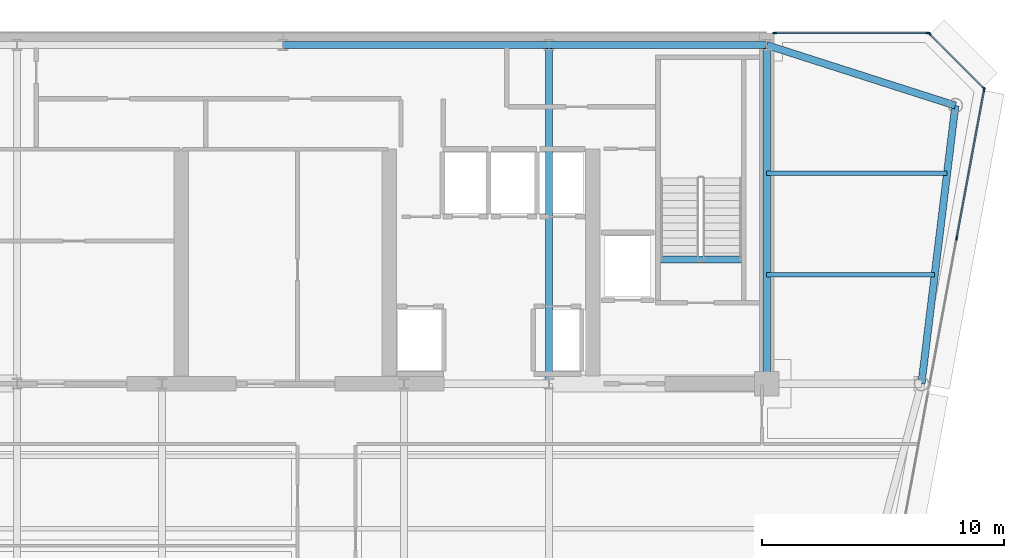
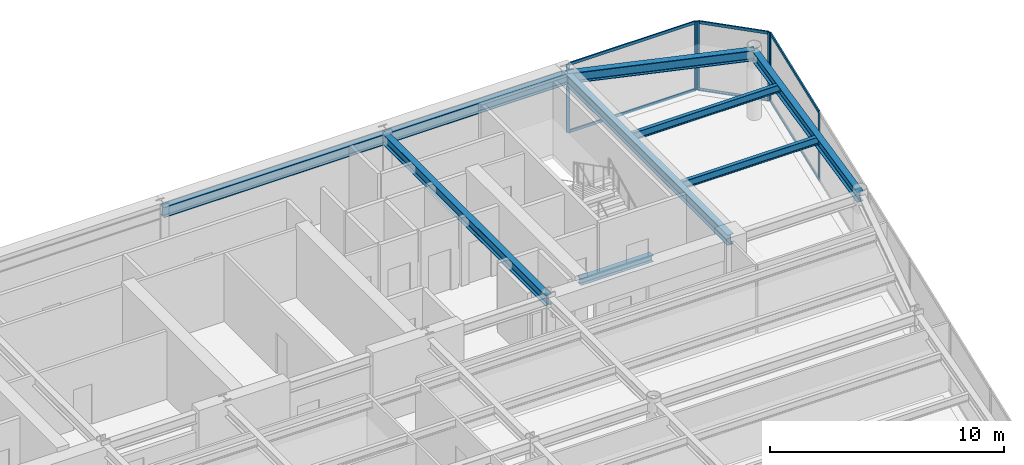
# One storey, part 9 of 17: 12 members, 9 beams, 3 elements without a shape of their own.
"""IFC4 building model written with IfcOpenShell, lengths in metres."""

from ifc_helpers import new_model, si_unit, direction, frame, origin, origin_2d, place, context, subcontext, project, spatial, rectangle, i_section, extrude, source, transform, mapped, material, layer, layer_set, material_profile, profile_set, type_object, element, aggregate, save


model = new_model("IFC4")

# Units and contexts
model_context = context("Model", 3, precision=1e-05, world=origin(), true_north=direction((0.0, 1.0)))
body_context = subcontext(model_context, "Body", "Model", "MODEL_VIEW")
ifc_project = project(units=[si_unit("LENGTHUNIT", "METRE"), si_unit("AREAUNIT", "SQUARE_METRE"), si_unit("VOLUMEUNIT", "CUBIC_METRE"), si_unit("PLANEANGLEUNIT", "RADIAN"), si_unit("MASSUNIT", "GRAM", prefix="KILO")], contexts=[model_context])

# Site, building, storey
site_placement = place(None, origin())
site = spatial("IfcSite", under=ifc_project, at=site_placement, CompositionType="ELEMENT")
building_placement = place(site_placement, origin())
building = spatial("IfcBuilding", under=site, at=building_placement, Name="Vaeldorn Concourse Tower", CompositionType="ELEMENT")
storey_placement = place(building_placement, frame((0.0, 0.0, 230.800048828125)))
storey = spatial("IfcBuildingStorey", under=building, at=storey_placement, Name="L59", CompositionType="ELEMENT", Elevation=230.800048828125)

# Beams
ifc_material_1 = material(Name="Steel S355", Category="steel")
ifc_material_profile_1 = material_profile(ifc_material_1, i_section(OverallWidth=0.300048828125, OverallDepth=0.340087890625, WebThickness=0.011962890625, FlangeThickness=0.021484375, FilletRadius=0.027099609375, at=origin_2d()), Name="HEB 340")
ifc_profile_set_1 = profile_set([ifc_material_profile_1], Name="Steel S355")
beam_type_1 = type_object("IfcBeamType", Name="BM-ST-TRIM", PredefinedType="BEAM", material=ifc_profile_set_1)
shared_shape_1 = source(origin(), body_context, "Body", "SweptSolid", [
    extrude(i_section(OverallWidth=0.300048828125, OverallDepth=0.340087890625, WebThickness=0.011962890625, FlangeThickness=0.021484375, FilletRadius=0.027099609375, at=origin_2d()), origin(), (0.0, 0.0, 1.0), 3.590087890625),
])
beam_1_placement = place(storey_placement, frame((49.47998046875, 41.639892578125, -0.39013671875), z_axis=(1.0, 0.0, 0.0), x_axis=(0.0, 1.0, 0.0)))
element("IfcBeam", 1, at=beam_1_placement, inside=storey, type_object=beam_type_1, Name="Stair Landing Trimmer Beam ST-2 L59", PredefinedType="BEAM", context=body_context, shape_type="MappedRepresentation", body=[
    mapped(shared_shape_1, transform((0.0, 0.0, 0.0), scale=1.0)),
])
ifc_material_profile_2 = material_profile(ifc_material_1, i_section(OverallWidth=0.179931640625, OverallDepth=0.39990234375, WebThickness=0.008544921875, FlangeThickness=0.013427734375, FilletRadius=0.02099609375, at=origin_2d()), Name="IPE 400")
ifc_profile_set_2 = profile_set([ifc_material_profile_2], Name="Steel S355")
beam_type_2 = type_object("IfcBeamType", Name="BM-JS-IPE400", PredefinedType="JOIST", material=ifc_profile_set_2)
shared_shape_2 = source(origin(), body_context, "Body", "SweptSolid", [
    extrude(i_section(OverallWidth=0.179931640625, OverallDepth=0.39990234375, WebThickness=0.008544921875, FlangeThickness=0.013427734375, FilletRadius=0.02099609375, at=origin_2d()), origin(), (0.0, 0.0, 1.0), 6.94775390625),
])
beam_2_placement = place(storey_placement, frame((54.0, 41.0, 3.3798828125), z_axis=(1.0, 0.0, 0.0), x_axis=(0.0, 1.0, 0.0)))
element("IfcBeam", 2, at=beam_2_placement, inside=storey, type_object=beam_type_2, Name="Beam JS-L59-NE-410", PredefinedType="JOIST", context=body_context, shape_type="MappedRepresentation", body=[
    mapped(shared_shape_2, transform((0.0, 0.0, 0.0), scale=1.0)),
])
shared_shape_3 = source(origin(), body_context, "Body", "SweptSolid", [
    extrude(i_section(OverallWidth=0.179931640625, OverallDepth=0.39990234375, WebThickness=0.008544921875, FlangeThickness=0.013427734375, FilletRadius=0.02099609375, at=origin_2d()), origin(), (0.0, 0.0, 1.0), 7.458984375),
])
beam_3_placement = place(storey_placement, frame((54.0, 45.199951171875, 3.3798828125), z_axis=(1.0, 0.0, 0.0), x_axis=(0.0, 1.0, 0.0)))
element("IfcBeam", 3, at=beam_3_placement, inside=storey, type_object=beam_type_2, Name="Beam JS-L59-NE-452", PredefinedType="JOIST", context=body_context, shape_type="MappedRepresentation", body=[
    mapped(shared_shape_3, transform((0.0, 0.0, 0.0), scale=1.0)),
])
ifc_material_profile_3 = material_profile(ifc_material_1, i_section(OverallWidth=0.300048828125, OverallDepth=0.550048828125, WebThickness=0.014892578125, FlangeThickness=0.029052734375, FilletRadius=0.027099609375, at=origin_2d()), Name="HEB 550")
ifc_profile_set_3 = profile_set([ifc_material_profile_3], Name="Steel S355")
beam_type_3 = type_object("IfcBeamType", Name="BM-PG-HEB550", PredefinedType="BEAM", material=ifc_profile_set_3)
shared_shape_4 = source(origin(), body_context, "Body", "SweptSolid", [
    extrude(i_section(OverallWidth=0.300048828125, OverallDepth=0.550048828125, WebThickness=0.014892578125, FlangeThickness=0.029052734375, FilletRadius=0.027099609375, at=origin_2d()), origin(), (0.0, 0.0, 1.0), 9.0),
])
beam_4_placement = place(storey_placement, frame((45.0, 50.5, 3.304931640625), z_axis=(1.0, 0.0, 0.0), x_axis=(0.0, 1.0, 0.0)))
element("IfcBeam", 4, at=beam_4_placement, inside=storey, type_object=beam_type_3, Name="Beam BM-L59-C-HC4-C-HC5", PredefinedType="BEAM", context=body_context, shape_type="MappedRepresentation", body=[
    mapped(shared_shape_4, transform((0.0, 0.0, 0.0), scale=1.0)),
])
shared_shape_5 = source(origin(), body_context, "Body", "SweptSolid", [
    extrude(i_section(OverallWidth=0.300048828125, OverallDepth=0.550048828125, WebThickness=0.014892578125, FlangeThickness=0.029052734375, FilletRadius=0.027099609375, at=origin_2d()), origin(), (0.0, 0.0, 1.0), 11.0),
])
beam_5_placement = place(storey_placement, frame((34.0, 50.5, 3.304931640625), z_axis=(1.0, 0.0, 0.0), x_axis=(0.0, 1.0, 0.0)))
element("IfcBeam", 5, at=beam_5_placement, inside=storey, type_object=beam_type_3, Name="Beam BM-L59-C-HC3-C-HC4", PredefinedType="BEAM", context=body_context, shape_type="MappedRepresentation", body=[
    mapped(shared_shape_5, transform((0.0, 0.0, 0.0), scale=1.0)),
])
shared_shape_6 = source(origin(), body_context, "Body", "SweptSolid", [
    extrude(i_section(OverallWidth=0.300048828125, OverallDepth=0.550048828125, WebThickness=0.014892578125, FlangeThickness=0.029052734375, FilletRadius=0.027099609375, at=origin_2d()), origin(), (0.0, 0.0, 1.0), 14.0),
])
for number, where, z_axis, x_axis, name in (
    (6, (45.0, 36.5, 3.304931640625), (0.0, 1.0, 0.0), (-1.0, 0.0, 0.0), "Beam BM-L59-C-FC5-C-HC4"),
    (7, (54.0, 36.5, 3.304931640625), (0.0, 1.0, 0.0), (-1.0, 0.0, 0.0), "Beam BM-L59-C-FC6-C-HC5"),
):
    element("IfcBeam", number, at=place(storey_placement, frame(where, z_axis=z_axis, x_axis=x_axis)), inside=storey, type_object=beam_type_3, Name=name, PredefinedType="BEAM", context=body_context, shape_type="MappedRepresentation", body=[
        mapped(shared_shape_6, transform((0.0, 0.0, 0.0), scale=1.0)),
    ])
shared_shape_7 = source(origin(), body_context, "Body", "SweptSolid", [
    extrude(i_section(OverallWidth=0.300048828125, OverallDepth=0.550048828125, WebThickness=0.014892578125, FlangeThickness=0.029052734375, FilletRadius=0.027099609375, at=origin_2d()), origin(), (0.0, 0.0, 1.0), 8.19091796875),
])
beam_6_placement = place(storey_placement, frame((54.0, 50.5, 3.304931640625), z_axis=(0.952282843383, -0.305216949396, 0.0), x_axis=(0.305216949396, 0.952282843383, 0.0)))
element("IfcBeam", 8, at=beam_6_placement, inside=storey, type_object=beam_type_3, Name="Beam BM-L59-C-HC5-C-NE1", PredefinedType="BEAM", context=body_context, shape_type="MappedRepresentation", body=[
    mapped(shared_shape_7, transform((0.0, 0.0, 0.0), scale=1.0)),
])
shared_shape_8 = source(origin(), body_context, "Body", "SweptSolid", [
    extrude(i_section(OverallWidth=0.300048828125, OverallDepth=0.550048828125, WebThickness=0.014892578125, FlangeThickness=0.029052734375, FilletRadius=0.027099609375, at=origin_2d()), origin(), (0.0, 0.0, 1.0), 11.5849609375),
])
beam_7_placement = place(storey_placement, frame((61.800048828125, 48.0, 3.304931640625), z_axis=(-0.120859382899, -0.992669637677, 0.0), x_axis=(0.992669637677, -0.120859382899, 0.0)))
element("IfcBeam", 9, at=beam_7_placement, inside=storey, type_object=beam_type_3, Name="Beam BM-L59-C-NE1-C-NE2", PredefinedType="BEAM", context=body_context, shape_type="MappedRepresentation", body=[
    mapped(shared_shape_8, transform((0.0, 0.0, 0.0), scale=1.0)),
])

# Curtain wall, members
ifc_material_2 = material(Name="Anodised Bronze Aluminium", Category="aluminium")
ifc_layer = layer(ifc_material_2, 0.179931640625)
ifc_layer_set = layer_set([ifc_layer], Name="Anodised Bronze Aluminium")
curtain_wall_type = type_object("IfcCurtainWallType", Name="CW-SYS-05", PredefinedType="NOTDEFINED", material=ifc_layer_set)
curtain_wall_1_placement = place(storey_placement, origin())
curtain_wall_1 = element("IfcCurtainWall", 10, at=curtain_wall_1_placement, inside=storey, type_object=curtain_wall_type, Name="Unitised Curtain Wall CW-L59-E07-2", PredefinedType="NOTDEFINED")
ifc_material_profile_4 = material_profile(ifc_material_2, rectangle(XDim=0.06494140625, YDim=0.169921875, at=origin_2d()), Name="CWM 65x170")
ifc_profile_set_4 = profile_set([ifc_material_profile_4], Name="Anodised Bronze Aluminium")
member_type_1 = type_object("IfcMemberType", Name="CWM-BRONZE-170", PredefinedType="MULLION", material=ifc_profile_set_4)
shared_shape_9 = source(origin(), body_context, "Body", "SweptSolid", [
    extrude(rectangle(XDim=0.06494140625, YDim=0.169921875, at=origin_2d()), origin(), (0.0, 0.0, 1.0), 3.579833984375),
])
member_1_placement = place(storey_placement, frame((61.857421875, 42.5234375, 0.0), z_axis=(0.0, 0.0, 1.0), x_axis=(-0.983319198447, 0.181888300792, 0.0)))
member_1 = element("IfcMember", 11, at=member_1_placement, type_object=member_type_1, Name="CW-05 mullion 2", PredefinedType="MULLION", context=body_context, shape_type="MappedRepresentation", body=[
    mapped(shared_shape_9, transform((0.0, 0.0, 0.0), scale=1.0)),
])
member_2_placement = place(storey_placement, frame((62.994140625, 48.66796875, 0.0), z_axis=(0.0, 0.0, 1.0), x_axis=(-0.983319198447, 0.181888300792, 0.0)))
member_2 = element("IfcMember", 12, at=member_2_placement, type_object=member_type_1, Name="CW-05 mullion 3", PredefinedType="MULLION", context=body_context, shape_type="MappedRepresentation", body=[
    mapped(shared_shape_9, transform((0.0, 0.0, 0.0), scale=1.0)),
])

curtain_wall_2_placement = place(storey_placement, origin())
curtain_wall_2 = element("IfcCurtainWall", 13, at=curtain_wall_2_placement, inside=storey, type_object=curtain_wall_type, Name="Unitised Curtain Wall CW-L59-E08-1", PredefinedType="NOTDEFINED")
member_3_placement = place(storey_placement, frame((62.97705078125, 48.722900390625, 0.0), z_axis=(0.0, 0.0, 1.0), x_axis=(-0.707106781187, -0.707106781187, 0.0)))
member_3 = element("IfcMember", 14, at=member_3_placement, type_object=member_type_1, Name="CW-05 mullion 1", PredefinedType="MULLION", context=body_context, shape_type="MappedRepresentation", body=[
    mapped(shared_shape_9, transform((0.0, 0.0, 0.0), scale=1.0)),
])
member_4_placement = place(storey_placement, frame((60.722900390625, 50.97705078125, 0.0), z_axis=(0.0, 0.0, 1.0), x_axis=(-0.707106781187, -0.707106781187, 0.0)))
member_4 = element("IfcMember", 15, at=member_4_placement, type_object=member_type_1, Name="CW-05 mullion 2", PredefinedType="MULLION", context=body_context, shape_type="MappedRepresentation", body=[
    mapped(shared_shape_9, transform((0.0, 0.0, 0.0), scale=1.0)),
])

curtain_wall_3_placement = place(storey_placement, origin())
curtain_wall_3 = element("IfcCurtainWall", 16, at=curtain_wall_3_placement, inside=storey, type_object=curtain_wall_type, Name="Unitised Curtain Wall CW-L59-E09-1", PredefinedType="NOTDEFINED")
member_5_placement = place(storey_placement, frame((60.66748046875, 51.0, 0.0), z_axis=(0.0, 0.0, 1.0), x_axis=(0.0, -1.0, 0.0)))
member_5 = element("IfcMember", 17, at=member_5_placement, type_object=member_type_1, Name="CW-05 mullion 1", PredefinedType="MULLION", context=body_context, shape_type="MappedRepresentation", body=[
    mapped(shared_shape_9, transform((0.0, 0.0, 0.0), scale=1.0)),
])
member_6_placement = place(storey_placement, frame((54.327392578125, 51.0, 0.0), z_axis=(0.0, 0.0, 1.0), x_axis=(0.0, -1.0, 0.0)))
member_6 = element("IfcMember", 18, at=member_6_placement, type_object=member_type_1, Name="CW-05 mullion 2", PredefinedType="MULLION", context=body_context, shape_type="MappedRepresentation", body=[
    mapped(shared_shape_9, transform((0.0, 0.0, 0.0), scale=1.0)),
])

# Member
ifc_material_profile_5 = material_profile(ifc_material_2, rectangle(XDim=0.06494140625, YDim=0.14990234375, at=origin_2d()), Name="CWT 65x150")
ifc_profile_set_5 = profile_set([ifc_material_profile_5], Name="Anodised Bronze Aluminium")
member_type_2 = type_object("IfcMemberType", Name="CWT-BRONZE-150", PredefinedType="USERDEFINED", material=ifc_profile_set_5)
shared_shape_10 = source(origin(), body_context, "Body", "SweptSolid", [
    extrude(rectangle(XDim=0.06494140625, YDim=0.14990234375, at=origin_2d()), origin(), (0.0, 0.0, 1.0), 3.123046875),
])
member_7_placement = place(storey_placement, frame((62.9541015625, 48.745849609375, 0.032470703125), z_axis=(-0.707106781187, 0.707106781187, 0.0), x_axis=(-0.707106781187, -0.707106781187, 0.0)))
member_7 = element("IfcMember", 19, at=member_7_placement, type_object=member_type_2, Name="CW-05 transom 1.1", ObjectType="TRANSOM", PredefinedType="USERDEFINED", context=body_context, shape_type="MappedRepresentation", body=[
    mapped(shared_shape_10, transform((0.0, 0.0, 0.0), scale=1.0)),
])

member_8_placement = place(storey_placement, frame((62.9541015625, 48.745849609375, 3.54736328125), z_axis=(-0.707106781187, 0.707106781187, 0.0), x_axis=(-0.707106781187, -0.707106781187, 0.0)))
member_8 = element("IfcMember", 20, at=member_8_placement, type_object=member_type_2, Name="CW-05 transom 1.2", ObjectType="TRANSOM", PredefinedType="USERDEFINED", context=body_context, shape_type="MappedRepresentation", body=[
    mapped(shared_shape_10, transform((0.0, 0.0, 0.0), scale=1.0)),
])

aggregate(curtain_wall_2, [member_3, member_4, member_7, member_8])

shared_shape_11 = source(origin(), body_context, "Body", "SweptSolid", [
    extrude(rectangle(XDim=0.06494140625, YDim=0.14990234375, at=origin_2d()), origin(), (0.0, 0.0, 1.0), 6.27490234375),
])
member_9_placement = place(storey_placement, frame((60.635009765625, 51.0, 0.032470703125), z_axis=(-1.0, 0.0, 0.0), x_axis=(0.0, -1.0, 0.0)))
member_9 = element("IfcMember", 21, at=member_9_placement, type_object=member_type_2, Name="CW-05 transom 1.1", ObjectType="TRANSOM", PredefinedType="USERDEFINED", context=body_context, shape_type="MappedRepresentation", body=[
    mapped(shared_shape_11, transform((0.0, 0.0, 0.0), scale=1.0)),
])

member_10_placement = place(storey_placement, frame((60.635009765625, 51.0, 3.54736328125), z_axis=(-1.0, 0.0, 0.0), x_axis=(0.0, -1.0, 0.0)))
member_10 = element("IfcMember", 22, at=member_10_placement, type_object=member_type_2, Name="CW-05 transom 1.2", ObjectType="TRANSOM", PredefinedType="USERDEFINED", context=body_context, shape_type="MappedRepresentation", body=[
    mapped(shared_shape_11, transform((0.0, 0.0, 0.0), scale=1.0)),
])

aggregate(curtain_wall_3, [member_5, member_6, member_9, member_10])

shared_shape_12 = source(origin(), body_context, "Body", "SweptSolid", [
    extrude(rectangle(XDim=0.06494140625, YDim=0.14990234375, at=origin_2d()), origin(), (0.0, 0.0, 1.0), 6.183837890625),
])
member_11_placement = place(storey_placement, frame((61.863525390625, 42.555419921875, 0.032470703125), z_axis=(0.181889913007, 0.983318900228, 0.0), x_axis=(-0.983318900228, 0.181889913007, 0.0)))
member_11 = element("IfcMember", 23, at=member_11_placement, type_object=member_type_2, Name="CW-05 transom 2.1", ObjectType="TRANSOM", PredefinedType="USERDEFINED", context=body_context, shape_type="MappedRepresentation", body=[
    mapped(shared_shape_12, transform((0.0, 0.0, 0.0), scale=1.0)),
])

member_12_placement = place(storey_placement, frame((61.863525390625, 42.555419921875, 3.54736328125), z_axis=(0.181889913007, 0.983318900228, 0.0), x_axis=(-0.983318900228, 0.181889913007, 0.0)))
member_12 = element("IfcMember", 24, at=member_12_placement, type_object=member_type_2, Name="CW-05 transom 2.2", ObjectType="TRANSOM", PredefinedType="USERDEFINED", context=body_context, shape_type="MappedRepresentation", body=[
    mapped(shared_shape_12, transform((0.0, 0.0, 0.0), scale=1.0)),
])

aggregate(curtain_wall_1, [member_1, member_2, member_11, member_12])

save(model, "model.ifc")
